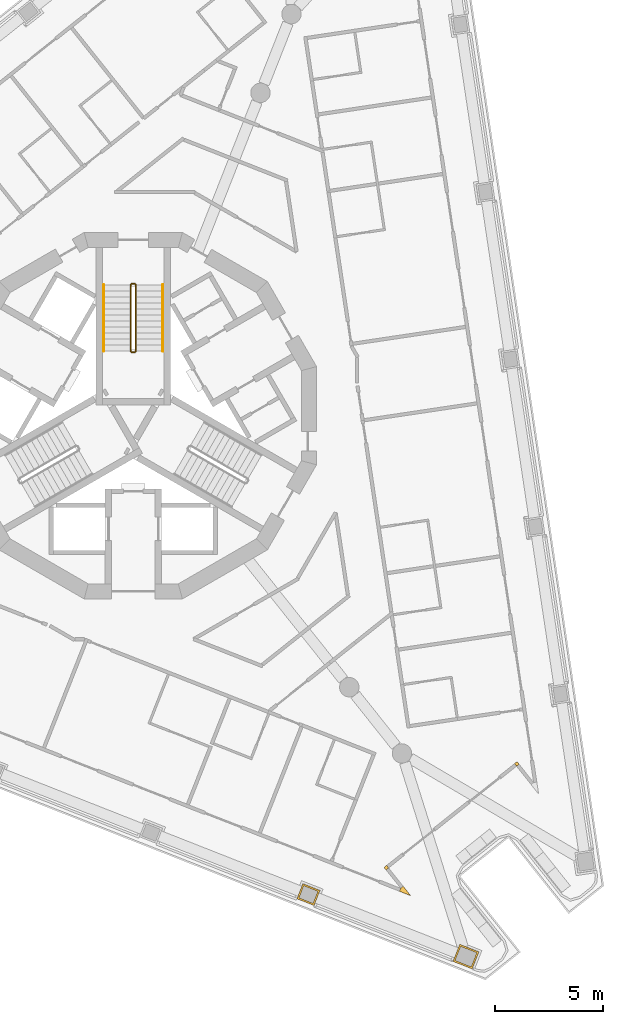
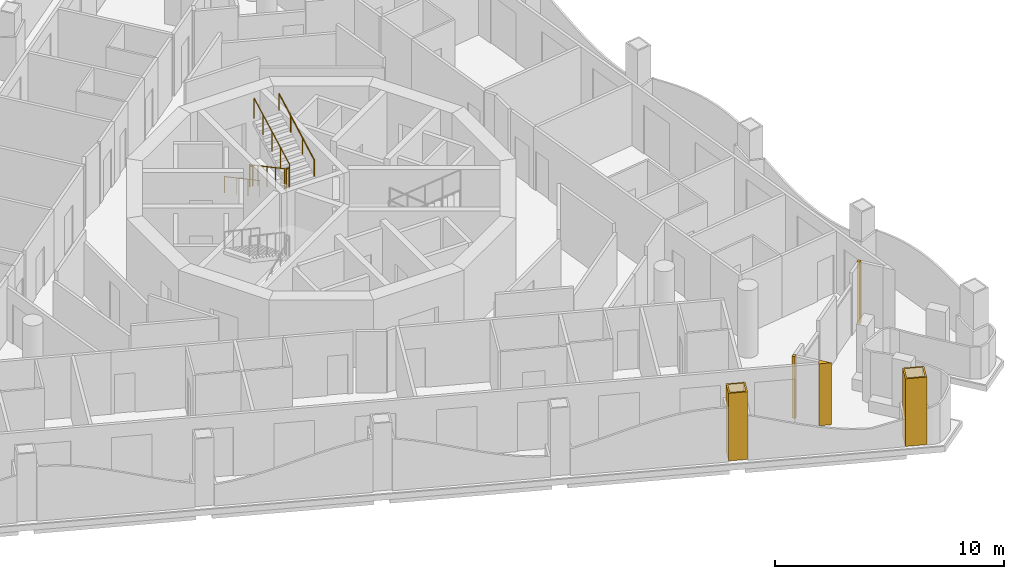
# One storey, part 13 of 16: 6 railings, 5 coverings.
"""IFC4 building model written with IfcOpenShell, lengths in metres."""

from ifc_helpers import new_model, si_unit, direction, frame, origin, origin_2d, place, context, subcontext, project, spatial, polyline, circle, outline, extrude, material, layer, layer_set, type_object, element, save


model = new_model("IFC4")

# Units and contexts
model_context = context("Model", 3, precision=1e-05, world=origin(), true_north=direction((0.0, 1.0)))
body_context = subcontext(model_context, "Body", "Model", "MODEL_VIEW")
ifc_project = project(units=[si_unit("LENGTHUNIT", "METRE"), si_unit("AREAUNIT", "SQUARE_METRE"), si_unit("VOLUMEUNIT", "CUBIC_METRE"), si_unit("PLANEANGLEUNIT", "RADIAN"), si_unit("MASSUNIT", "GRAM", prefix="KILO")], contexts=[model_context])

# Site, building, storey
site_placement = place(None, origin())
site = spatial("IfcSite", under=ifc_project, at=site_placement, CompositionType="ELEMENT")
building_placement = place(site_placement, origin())
building = spatial("IfcBuilding", under=site, at=building_placement, Name="Trine Commons Tower", CompositionType="ELEMENT")
storey_placement = place(building_placement, frame((0.0, 0.0, 205.199951171875)))
storey = spatial("IfcBuildingStorey", under=building, at=storey_placement, Name="L53", CompositionType="ELEMENT", Elevation=205.199951171875)

# Coverings
ifc_material_1 = material(Name="Aluminium-framed insulated wall panel", Category="aluminium")
ifc_layer_1 = layer(ifc_material_1, 0.14990234375)
ifc_layer_set_1 = layer_set([ifc_layer_1], Name="Aluminium-framed insulated wall panel")
covering_type_1 = type_object("IfcCoveringType", Name="Glazing corner post, aluminium", PredefinedType="CLADDING", material=ifc_layer_set_1)
covering_1_placement = place(storey_placement, origin())
element("IfcCovering", 1, at=covering_1_placement, inside=storey, type_object=covering_type_1, Name="Glazing corner post 6-07", PredefinedType="CLADDING", context=body_context, shape_type="SweptSolid", body=[
    extrude(outline(polyline([(97.682861328125, 46.35791015625), (97.7763671875, 46.240478515625), (97.7763671875, 46.240478515625), (97.893798828125, 46.333740234375), (97.80029296875, 46.451171875), (97.80029296875, 46.451171875), (97.682861328125, 46.35791015625)])), origin(), (0.0, 0.0, 1.0), 3.300048828125),
])
covering_2_placement = place(storey_placement, origin())
element("IfcCovering", 2, at=covering_2_placement, inside=storey, type_object=covering_type_1, Name="Glazing corner post 6-08", PredefinedType="CLADDING", context=body_context, shape_type="SweptSolid", body=[
    extrude(outline(polyline([(91.726806640625, 41.42822265625), (91.843994140625, 41.521728515625), (91.750732421875, 41.63916015625), (91.63330078125, 41.545654296875), (91.726806640625, 41.42822265625)])), origin(), (0.0, 0.0, 1.0), 3.300048828125),
])
covering_3_placement = place(storey_placement, origin())
element("IfcCovering", 3, at=covering_3_placement, inside=storey, type_object=covering_type_1, Name="Glazing corner post 6-09", PredefinedType="CLADDING", context=body_context, shape_type="SweptSolid", body=[
    extrude(outline(polyline([(92.34765625, 40.439208984375), (92.868408203125, 40.23388671875), (92.52001953125, 40.672119140625), (92.402587890625, 40.57861328125), (92.34765625, 40.439208984375)])), origin(), (0.0, 0.0, 1.0), 3.300048828125),
])
ifc_material_2 = material(Name="Limestone, honed", Category="masonry")
ifc_layer_2 = layer(ifc_material_2, 0.074951171875)
ifc_layer_set_2 = layer_set([ifc_layer_2], Name="Limestone, honed")
covering_type_2 = type_object("IfcCoveringType", Name="Limestone column cladding 75", PredefinedType="CLADDING", material=ifc_layer_set_2)
covering_4_placement = place(storey_placement, origin())
element("IfcCovering", 4, at=covering_4_placement, inside=storey, type_object=covering_type_2, Name="Limestone pier cladding 6-01", PredefinedType="CLADDING", context=body_context, shape_type="SweptSolid", body=[
    extrude(outline(polyline([(95.143310546875, 37.978271484375), (94.831787109375, 37.1875), (95.715576171875, 36.839111328125), (96.027099609375, 37.6298828125), (95.143310546875, 37.978271484375)]), holes=[polyline([(95.185546875, 37.880859375), (94.928955078125, 37.229736328125), (95.67333984375, 36.9365234375), (95.9296875, 37.587646484375), (95.185546875, 37.880859375)])]), origin(), (0.0, 0.0, 1.0), 3.60009765625),
])
covering_5_placement = place(storey_placement, origin())
element("IfcCovering", 5, at=covering_5_placement, inside=storey, type_object=covering_type_2, Name="Limestone pier cladding 6-02", PredefinedType="CLADDING", context=body_context, shape_type="SweptSolid", body=[
    extrude(outline(polyline([(87.8671875, 40.790771484375), (87.59228515625, 40.093017578125), (88.383056640625, 39.78125), (88.657958984375, 40.47900390625), (87.8671875, 40.790771484375)]), holes=[polyline([(87.909423828125, 40.693359375), (87.689453125, 40.13525390625), (88.3408203125, 39.878662109375), (88.560791015625, 40.436767578125), (87.909423828125, 40.693359375)])]), origin(), (0.0, 0.0, 1.0), 3.60009765625),
])

# Railings
ifc_material_3 = material(Name="Stainless steel balustrade", Category="steel")
railing_type_1 = type_object("IfcRailingType", Name="Stair guard, steel balustrade 1100", PredefinedType="GUARDRAIL", material=ifc_material_3)
railing_1_placement = place(storey_placement, frame((79.875, 68.570556640625, 0.150146484375)))
element("IfcRailing", 6, at=railing_1_placement, inside=storey, type_object=railing_type_1, Name="L53 ST1C stair guard 1", PredefinedType="GUARDRAIL", context=body_context, shape_type="SweptSolid", body=[
    extrude(circle(Radius=0.02392578125, at=origin_2d()), frame((0.0, 0.0, 1.076171875), z_axis=(0.0, -0.881496589024, 0.472190389079), x_axis=(1.0, 0.0, 0.0)), (0.0, 0.0, 1.0), 3.494140625),
    extrude(circle(Radius=0.02099609375, at=origin_2d()), origin(), (0.0, 0.0, 1.0), 1.052001953125),
    extrude(circle(Radius=0.02099609375, at=origin_2d()), frame((0.0, -0.77001953125, 0.41259765625)), (0.0, 0.0, 1.0), 1.052001953125),
    extrude(circle(Radius=0.02099609375, at=origin_2d()), frame((0.0, -1.5400390625, 0.824951171875)), (0.0, 0.0, 1.0), 1.052001953125),
    extrude(circle(Radius=0.02099609375, at=origin_2d()), frame((0.0, -2.31005859375, 1.2373046875)), (0.0, 0.0, 1.0), 1.052001953125),
    extrude(circle(Radius=0.02099609375, at=origin_2d()), frame((0.0, -3.080078125, 1.64990234375)), (0.0, 0.0, 1.0), 1.052001953125),
])
railing_2_placement = place(storey_placement, frame((79.925048828125, 65.440673828125, 1.800048828125)))
element("IfcRailing", 7, at=railing_2_placement, inside=storey, type_object=railing_type_1, Name="L53 ST1C stair guard 2", PredefinedType="GUARDRAIL", context=body_context, shape_type="SweptSolid", body=[
    extrude(circle(Radius=0.02392578125, at=origin_2d()), frame((0.0, 0.0, 1.076171875), z_axis=(1.0, 0.0, 0.0), x_axis=(0.0, 1.0, 0.0)), (0.0, 0.0, 1.0), 0.14990234375),
    extrude(circle(Radius=0.02099609375, at=origin_2d()), origin(), (0.0, 0.0, 1.0), 1.052001953125),
    extrude(circle(Radius=0.02099609375, at=origin_2d()), frame((0.14990234375, 0.0, 0.0)), (0.0, 0.0, 1.0), 1.052001953125),
])
railing_3_placement = place(storey_placement, frame((80.125, 65.490478515625, 1.949951171875)))
element("IfcRailing", 8, at=railing_3_placement, inside=storey, type_object=railing_type_1, Name="L53 ST1C stair guard 3", PredefinedType="GUARDRAIL", context=body_context, shape_type="SweptSolid", body=[
    extrude(circle(Radius=0.02392578125, at=origin_2d()), frame((0.0, 0.0, 1.076171875), z_axis=(0.0, 0.881467505477, 0.472244678941), x_axis=(-1.0, 0.0, 0.0)), (0.0, 0.0, 1.0), 3.494140625),
    extrude(circle(Radius=0.02099609375, at=origin_2d()), origin(), (0.0, 0.0, 1.0), 1.052001953125),
    extrude(circle(Radius=0.02099609375, at=origin_2d()), frame((0.0, 0.77001953125, 0.41259765625)), (0.0, 0.0, 1.0), 1.052001953125),
    extrude(circle(Radius=0.02099609375, at=origin_2d()), frame((0.0, 1.5400390625, 0.8251953125)), (0.0, 0.0, 1.0), 1.052001953125),
    extrude(circle(Radius=0.02099609375, at=origin_2d()), frame((0.0, 2.31005859375, 1.237548828125)), (0.0, 0.0, 1.0), 1.052001953125),
    extrude(circle(Radius=0.02099609375, at=origin_2d()), frame((0.0, 3.080078125, 1.650146484375)), (0.0, 0.0, 1.0), 1.052001953125),
])
railing_4_placement = place(storey_placement, frame((79.925048828125, 68.62060546875, 0.0)))
element("IfcRailing", 9, at=railing_4_placement, inside=storey, type_object=railing_type_1, Name="L53 ST1C stair guard 4", PredefinedType="GUARDRAIL", context=body_context, shape_type="SweptSolid", body=[
    extrude(circle(Radius=0.02392578125, at=origin_2d()), frame((0.0, 0.0, 1.076171875), z_axis=(1.0, 0.0, 0.0), x_axis=(0.0, 1.0, 0.0)), (0.0, 0.0, 1.0), 0.14990234375),
    extrude(circle(Radius=0.02099609375, at=origin_2d()), origin(), (0.0, 0.0, 1.0), 1.052001953125),
    extrude(circle(Radius=0.02099609375, at=origin_2d()), frame((0.14990234375, 0.0, 0.0)), (0.0, 0.0, 1.0), 1.052001953125),
])
ifc_material_4 = material(Name="Stainless steel handrail", Category="steel")
railing_type_2 = type_object("IfcRailingType", Name="Stair handrail, steel 900", PredefinedType="HANDRAIL", material=ifc_material_4)
railing_5_placement = place(storey_placement, frame((78.625, 68.570556640625, 0.150146484375)))
element("IfcRailing", 10, at=railing_5_placement, inside=storey, type_object=railing_type_2, Name="L53 ST1C stair handrail 1", PredefinedType="HANDRAIL", context=body_context, shape_type="SweptSolid", body=[
    extrude(circle(Radius=0.02099609375, at=origin_2d()), frame((0.0, 0.0, 0.87890625), z_axis=(0.0, -0.881496589024, 0.472190389079), x_axis=(1.0, 0.0, 0.0)), (0.0, 0.0, 1.0), 3.494140625),
    extrude(circle(Radius=0.01513671875, at=origin_2d()), origin(), (0.0, 0.0, 1.0), 0.85791015625),
    extrude(circle(Radius=0.01513671875, at=origin_2d()), frame((0.0, -1.026611328125, 0.550048828125)), (0.0, 0.0, 1.0), 0.85791015625),
    extrude(circle(Radius=0.01513671875, at=origin_2d()), frame((0.0, -2.053466796875, 1.099853515625)), (0.0, 0.0, 1.0), 0.85791015625),
    extrude(circle(Radius=0.01513671875, at=origin_2d()), frame((0.0, -3.080078125, 1.64990234375)), (0.0, 0.0, 1.0), 0.85791015625),
])
railing_6_placement = place(storey_placement, frame((81.375, 65.490478515625, 1.949951171875)))
element("IfcRailing", 11, at=railing_6_placement, inside=storey, type_object=railing_type_2, Name="L53 ST1C stair handrail 2", PredefinedType="HANDRAIL", context=body_context, shape_type="SweptSolid", body=[
    extrude(circle(Radius=0.02099609375, at=origin_2d()), frame((0.0, 0.0, 0.87890625), z_axis=(0.0, 0.881467505477, 0.472244678941), x_axis=(-1.0, 0.0, 0.0)), (0.0, 0.0, 1.0), 3.494140625),
    extrude(circle(Radius=0.01513671875, at=origin_2d()), origin(), (0.0, 0.0, 1.0), 0.85791015625),
    extrude(circle(Radius=0.01513671875, at=origin_2d()), frame((0.0, 1.026611328125, 0.550048828125)), (0.0, 0.0, 1.0), 0.85791015625),
    extrude(circle(Radius=0.01513671875, at=origin_2d()), frame((0.0, 2.053466796875, 1.10009765625)), (0.0, 0.0, 1.0), 0.85791015625),
    extrude(circle(Radius=0.01513671875, at=origin_2d()), frame((0.0, 3.080078125, 1.650146484375)), (0.0, 0.0, 1.0), 0.85791015625),
])

save(model, "model.ifc")
